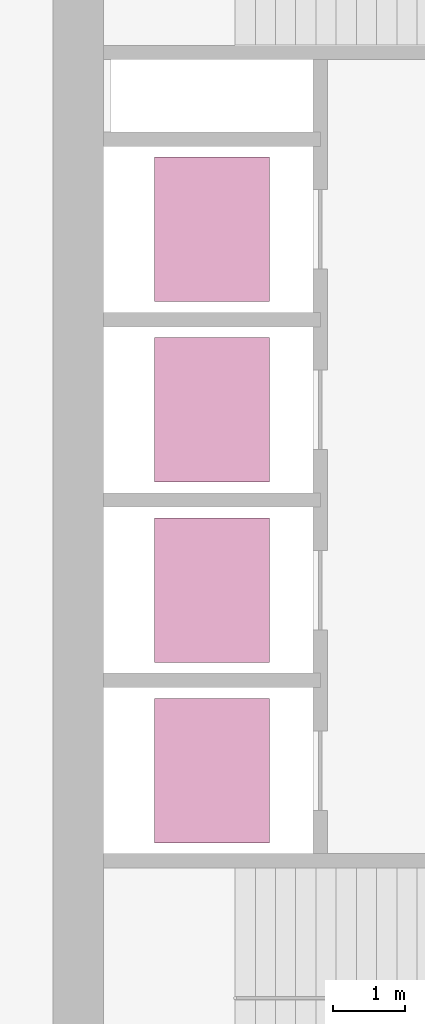
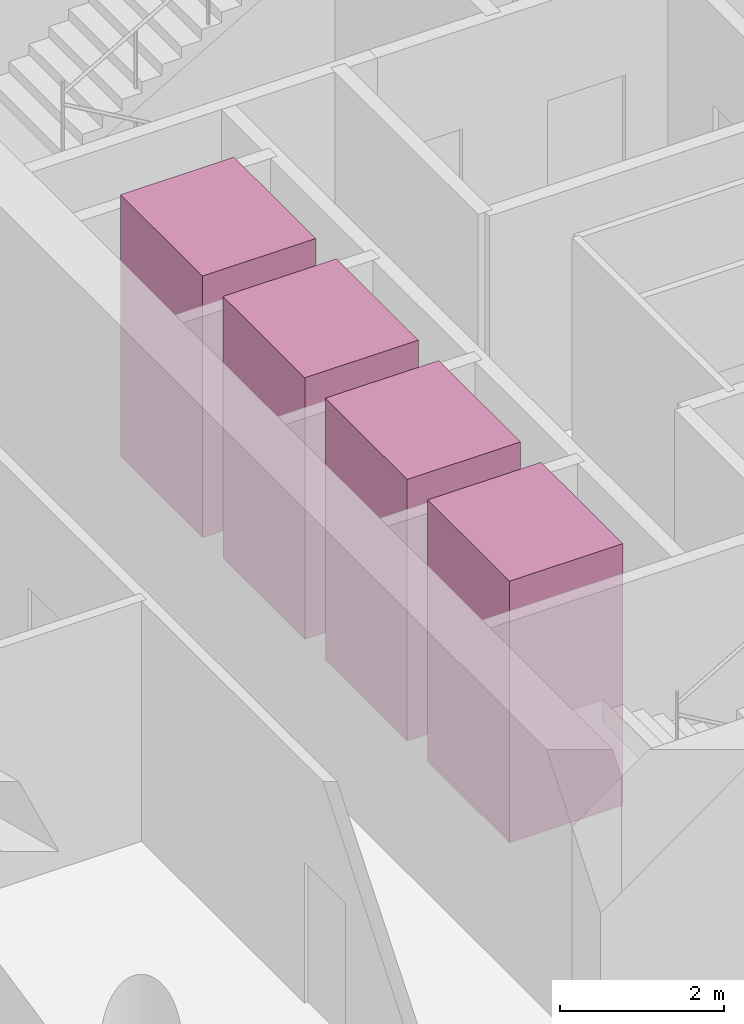
# One storey, part 9 of 9: 4 transport elements.
"""IFC4 building model written with IfcOpenShell, lengths in metres."""

import ifcopenshell
import ifcopenshell.guid

model = None  # the IFC model being written
_history = None  # IfcOwnerHistory: only IFC2X3 demands one
_inside = {}  # id of a spatial element -> (the spatial element, [elements in it])
_under = {}  # id of a project, library or spatial element -> (it, [spatial elements below it])
_declared = {}  # id of a project -> (the project, [libraries it declares])
_typed = {}  # id of a type object -> (the type object, [elements of that type])
_made_of = {}  # id of a material, layer set ... -> (it, [elements and type objects made of it])


def new_model(schema):
    """Start an empty IFC model of exactly this schema.

    Asked for "IFC4X3", IfcOpenShell would pick the latest addendum, in which some entities
    have other attributes; the version numbers below select the first issue.
    IFC2X3 requires an IfcOwnerHistory on every rooted entity: one is made here for all.
    """
    global model, _history
    if schema == "IFC4X3":
        model = ifcopenshell.file(schema_version=(4, 3, 0, 0))
    else:
        model = ifcopenshell.file(schema=schema)
    _inside.clear()
    _under.clear()
    _declared.clear()
    _typed.clear()
    _made_of.clear()
    _history = None
    if model.schema == "IFC2X3":
        org = make("IfcOrganization", Name="unknown")
        user = make(
            "IfcPersonAndOrganization",
            ThePerson=make("IfcPerson", FamilyName="unknown"),
            TheOrganization=org,
        )
        app = make(
            "IfcApplication",
            ApplicationDeveloper=org,
            Version="unknown",
            ApplicationFullName="unknown",
            ApplicationIdentifier="unknown",
        )
        _history = make(
            "IfcOwnerHistory",
            OwningUser=user,
            OwningApplication=app,
            ChangeAction="ADDED",
            CreationDate=0,
        )
    return model


def make(cls, **values):
    """One entity of the class cls with the attributes given. An attribute that is None is left unset."""
    return model.create_entity(
        cls, **{name: value for name, value in values.items() if value is not None}
    )


def rooted(cls, **values):
    """An entity with a GlobalId (a new one), such as an element, a storey or a relation."""
    return make(cls, GlobalId=ifcopenshell.guid.new(), OwnerHistory=_history, **values)


def si_unit(unit_type, name, prefix=None):
    """IfcSIUnit, for example si_unit("LENGTHUNIT", "METRE", prefix="MILLI")."""
    return make("IfcSIUnit", UnitType=unit_type, Prefix=prefix, Name=name)


def assignment(units):
    """IfcUnitAssignment: the units of a project."""
    return None if units is None else make("IfcUnitAssignment", Units=units)


def point(xyz):
    """IfcCartesianPoint."""
    return None if xyz is None else make("IfcCartesianPoint", Coordinates=xyz)


def direction(xyz):
    """IfcDirection."""
    return None if xyz is None else make("IfcDirection", DirectionRatios=xyz)


def frame(location, z_axis=None, x_axis=None):
    """IfcAxis2Placement3D, a coordinate frame: its origin and axes. An axis left out is left unset."""
    return make(
        "IfcAxis2Placement3D",
        Location=point(location),
        Axis=direction(z_axis),
        RefDirection=direction(x_axis),
    )


def frame_2d(location, x_axis=None):
    """IfcAxis2Placement2D, a coordinate frame in the plane: its origin and x axis."""
    return make(
        "IfcAxis2Placement2D", Location=point(location), RefDirection=direction(x_axis)
    )


def origin():
    """The frame at (0, 0, 0) with its axes left unset."""
    return frame((0.0, 0.0, 0.0))


def origin_2d():
    """The frame at (0, 0) in the plane with its x axis left unset."""
    return frame_2d((0.0, 0.0))


def place(relative_to, where):
    """IfcLocalPlacement: puts the frame where relative to a parent placement (None: the world)."""
    return make(
        "IfcLocalPlacement", PlacementRelTo=relative_to, RelativePlacement=where
    )


def context(
    kind, dimensions, precision=None, world=None, true_north=None, identifier=None
):
    """IfcGeometricRepresentationContext, for example the 3D "Model" context."""
    return make(
        "IfcGeometricRepresentationContext",
        ContextIdentifier=identifier,
        ContextType=kind,
        CoordinateSpaceDimension=dimensions,
        Precision=precision,
        WorldCoordinateSystem=world,
        TrueNorth=true_north,
    )


def subcontext(parent, identifier, kind, view, scale=None):
    """IfcGeometricRepresentationSubContext, for example "Body" below "Model"."""
    return make(
        "IfcGeometricRepresentationSubContext",
        ContextIdentifier=identifier,
        ContextType=kind,
        ParentContext=parent,
        TargetScale=scale,
        TargetView=view,
    )


def project(units=None, contexts=None):
    """IfcProject with its units and contexts."""
    return rooted(
        "IfcProject",
        Name="project",
        RepresentationContexts=contexts,
        UnitsInContext=assignment(units),
    )


def spatial(cls, under=None, at=None, **own):
    """A site, building, storey or space (cls), placed at a placement, below another one or the project."""
    s = rooted(cls, ObjectPlacement=at, **own)
    if under is not None:
        _under.setdefault(under.id(), (under, []))[1].append(s)
    return s


def profile(cls, at=None, kind="AREA", **sizes):
    """A parametric profile (cls). Its sizes go by their IFC names, for example OverallWidth=200.0."""
    return make(cls, ProfileType=kind, Position=at, **sizes)


def rectangle(**sizes):
    """IfcRectangleProfileDef."""
    return profile("IfcRectangleProfileDef", **sizes)


def extrude(swept, where, along, depth):
    """IfcExtrudedAreaSolid: the profile swept, set in the frame where, extruded along a direction by depth."""
    return make(
        "IfcExtrudedAreaSolid",
        SweptArea=swept,
        Position=where,
        ExtrudedDirection=direction(along),
        Depth=depth,
    )


def shape(context_of_items, identifier, shape_type, items):
    """IfcShapeRepresentation: the items that make up one representation, for example the "Body"."""
    return make(
        "IfcShapeRepresentation",
        ContextOfItems=context_of_items,
        RepresentationIdentifier=identifier,
        RepresentationType=shape_type,
        Items=items,
    )


def material(Name=None, Category=None):
    """IfcMaterial."""
    return make("IfcMaterial", Name=Name, Category=Category)


def made_of(thing, what):
    """Note that an element or type object is made of a material, layer set ...; save() writes the relation."""
    if what is not None:
        _made_of.setdefault(what.id(), (what, []))[1].append(thing)
    return thing


def type_object(cls, material=None, **own):
    """A type object (cls), such as IfcWallType, which elements share."""
    return made_of(rooted(cls, **own), material)


def element(
    cls,
    number,
    at=None,
    inside=None,
    cuts=None,
    type_object=None,
    material=None,
    context=None,
    identifier="Body",
    shape_type=None,
    held_by="IfcProductDefinitionShape",
    body=None,
    shapes=None,
    **own,
):
    """One element of the class cls, such as IfcWall. Its Tag is "e" and its number.

    at: its placement. inside: the storey or other place that contains it. cuts: it is an
    opening in that element (IfcRelVoidsElement). A single representation is given by context,
    identifier, shape_type and body (its items); several are given by shapes. held_by: the class
    of the entity that holds the representations. save() writes the other relations.
    """
    e = rooted(cls, Tag="e%d" % number, ObjectPlacement=at, **own)
    if body is not None:
        shapes = [shape(context, identifier, shape_type, body)]
    if shapes is not None:
        e.Representation = make(held_by, Representations=shapes)
    if inside is not None:
        _inside.setdefault(inside.id(), (inside, []))[1].append(e)
    if cuts is not None:
        rooted(
            "IfcRelVoidsElement", RelatingBuildingElement=cuts, RelatedOpeningElement=e
        )
    if type_object is not None:
        _typed.setdefault(type_object.id(), (type_object, []))[1].append(e)
    return made_of(e, material)


def aggregate(whole, parts):
    """IfcRelAggregates: a whole, such as a stair, and the parts it consists of."""
    return rooted("IfcRelAggregates", RelatingObject=whole, RelatedObjects=parts)


def save(model, path):
    """Write the relations noted so far, then the file.

    IfcRelAggregates (storeys below a building ...), IfcRelContainedInSpatialStructure (elements
    in a storey), IfcRelDefinesByType, IfcRelAssociatesMaterial and IfcRelDeclares: one each for
    every whole, place, type object, material and project.
    """
    for whole, parts in _under.values():
        aggregate(whole, parts)
    for where, things in _inside.values():
        rooted(
            "IfcRelContainedInSpatialStructure",
            RelatedElements=things,
            RelatingStructure=where,
        )
    for kind, things in _typed.values():
        rooted("IfcRelDefinesByType", RelatedObjects=things, RelatingType=kind)
    for what, things in _made_of.values():
        rooted("IfcRelAssociatesMaterial", RelatedObjects=things, RelatingMaterial=what)
    for by, libraries in _declared.values():
        rooted("IfcRelDeclares", RelatingContext=by, RelatedDefinitions=libraries)
    model.write(path)


model = new_model("IFC4")

# Units and contexts
model_context = context("Model", 3, precision=1e-05, world=origin(), true_north=direction((0.0, 1.0)))
body_context = subcontext(model_context, "Body", "Model", "MODEL_VIEW")
ifc_project = project(units=[si_unit("LENGTHUNIT", "METRE"), si_unit("AREAUNIT", "SQUARE_METRE"), si_unit("VOLUMEUNIT", "CUBIC_METRE"), si_unit("PLANEANGLEUNIT", "RADIAN"), si_unit("MASSUNIT", "GRAM", prefix="KILO")], contexts=[model_context])

# Site, building, storey
site_placement = place(None, origin())
site = spatial("IfcSite", under=ifc_project, at=site_placement, CompositionType="ELEMENT")
building_placement = place(site_placement, origin())
building = spatial("IfcBuilding", under=site, at=building_placement, Name="Qaws Garden Tower", CompositionType="ELEMENT")
storey_placement = place(building_placement, frame((0.0, 0.0, 190.199951171875)))
storey = spatial("IfcBuildingStorey", under=building, at=storey_placement, Name="L46", CompositionType="ELEMENT", Elevation=190.199951171875)

# Transport elements
ifc_material = material(Name="Stainless steel 316", Category="steel")
transport_element_type = type_object("IfcTransportElementType", Name="Passenger lift car 2000x1600 1800 kg", PredefinedType="ELEVATOR", material=ifc_material)
for number, where, z_axis, x_axis, name in (
    (1, (10.199951171875, 13.64990234375, 0.0), (0.0, 0.0, 1.0), (1.0, 0.0, 0.0), "MR1"),
    (2, (10.199951171875, 16.14990234375, 0.0), (0.0, 0.0, 1.0), (1.0, 0.0, 0.0), "MR2"),
    (3, (10.199951171875, 18.64990234375, 0.0), (0.0, 0.0, 1.0), (1.0, 0.0, 0.0), "MR3"),
    (4, (10.199951171875, 21.14990234375, 0.0), (0.0, 0.0, 1.0), (1.0, 0.0, 0.0), "MR4"),
):
    element("IfcTransportElement", number, at=place(storey_placement, frame(where, z_axis=z_axis, x_axis=x_axis)), inside=storey, type_object=transport_element_type, Name=name, PredefinedType="ELEVATOR", context=body_context, shape_type="SweptSolid", body=[
        extrude(rectangle(XDim=1.60009765625, YDim=2.0, at=origin_2d()), origin(), (0.0, 0.0, 1.0), 3.89990234375),
    ])

save(model, "model.ifc")
